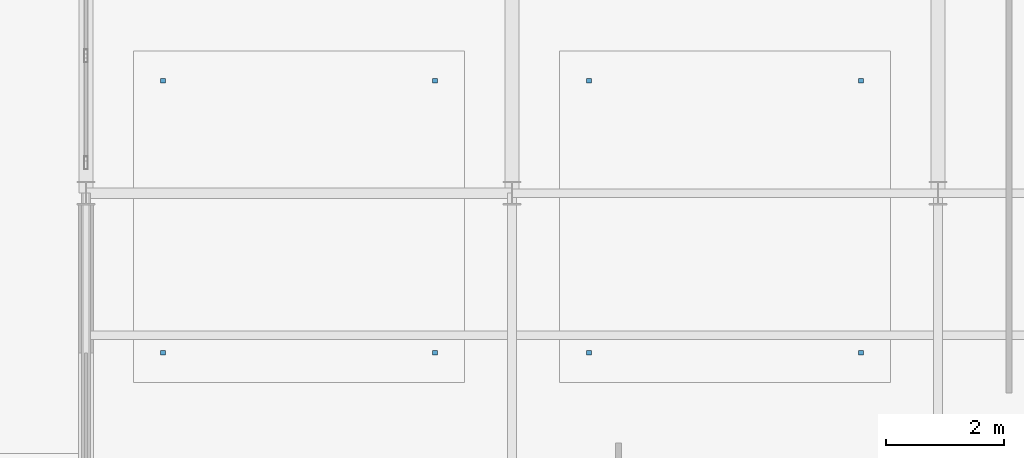
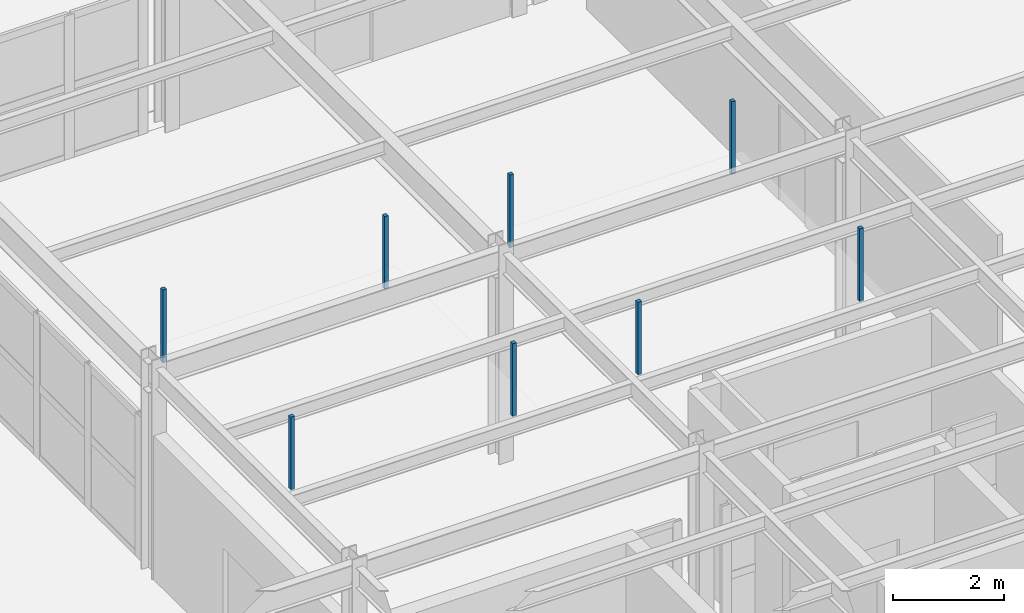
# One storey, part 38 of 41: 8 discrete accessories.
"""IFC4 building model written with IfcOpenShell, lengths in metres."""

from ifc_helpers import new_model, si_unit, direction, frame, origin, origin_2d, place, context, subcontext, project, spatial, rectangle, extrude, material, type_object, element, save


model = new_model("IFC4")

# Units and contexts
model_context = context("Model", 3, precision=1e-05, world=origin(), true_north=direction((0.0, 1.0)))
body_context = subcontext(model_context, "Body", "Model", "MODEL_VIEW")
ifc_project = project(units=[si_unit("LENGTHUNIT", "METRE"), si_unit("AREAUNIT", "SQUARE_METRE"), si_unit("VOLUMEUNIT", "CUBIC_METRE"), si_unit("PLANEANGLEUNIT", "RADIAN"), si_unit("MASSUNIT", "GRAM", prefix="KILO")], contexts=[model_context])

# Site, building, storey
site_placement = place(None, origin())
site = spatial("IfcSite", under=ifc_project, at=site_placement, CompositionType="ELEMENT")
building_placement = place(site_placement, origin())
building = spatial("IfcBuilding", under=site, at=building_placement, Name="Solvadek Multi-Sports Hall", CompositionType="ELEMENT")
storey_placement = place(building_placement, frame((0.0, 0.0, 14.39990234375)))
storey = spatial("IfcBuildingStorey", under=building, at=storey_placement, Name="L03", CompositionType="ELEMENT", Elevation=14.39990234375)

# Discrete accessories
ifc_material = material(Name="Steel E250 (250 MPa)", Category="steel")
discrete_accessory_type = type_object("IfcDiscreteAccessoryType", Name="ENV-BRK-CLEAT", PredefinedType="BRACKET", material=ifc_material)
for number, where, z_axis, x_axis, name in (
    (1, (15.699951171875, 89.699951171875, 3.01513671875), (0.0, 0.0, 1.0), (1.0, 0.0, 0.0), "L03 Ceiling Suspension Hanger #7.1"),
    (2, (20.300048828125, 89.699951171875, 3.01513671875), (0.0, 0.0, 1.0), (1.0, 0.0, 0.0), "L03 Ceiling Suspension Hanger #7.2"),
    (3, (15.699951171875, 94.300048828125, 3.01513671875), (0.0, 0.0, 1.0), (1.0, 0.0, 0.0), "L03 Ceiling Suspension Hanger #7.3"),
    (4, (20.300048828125, 94.300048828125, 3.01513671875), (0.0, 0.0, 1.0), (1.0, 0.0, 0.0), "L03 Ceiling Suspension Hanger #7.4"),
    (5, (22.89990234375, 89.699951171875, 3.01513671875), (0.0, 0.0, 1.0), (1.0, 0.0, 0.0), "L03 Ceiling Suspension Hanger #8.1"),
    (6, (27.5, 89.699951171875, 3.01513671875), (0.0, 0.0, 1.0), (1.0, 0.0, 0.0), "L03 Ceiling Suspension Hanger #8.2"),
    (7, (22.89990234375, 94.300048828125, 3.01513671875), (0.0, 0.0, 1.0), (1.0, 0.0, 0.0), "L03 Ceiling Suspension Hanger #8.3"),
    (8, (27.5, 94.300048828125, 3.01513671875), (0.0, 0.0, 1.0), (1.0, 0.0, 0.0), "L03 Ceiling Suspension Hanger #8.4"),
):
    element("IfcDiscreteAccessory", number, at=place(storey_placement, frame(where, z_axis=z_axis, x_axis=x_axis)), inside=storey, type_object=discrete_accessory_type, Name=name, PredefinedType="BRACKET", context=body_context, shape_type="SweptSolid", body=[
        extrude(rectangle(XDim=0.080078125, YDim=0.080078125, at=origin_2d()), origin(), (0.0, 0.0, 1.0), 1.594970703125),
    ])

save(model, "model.ifc")
